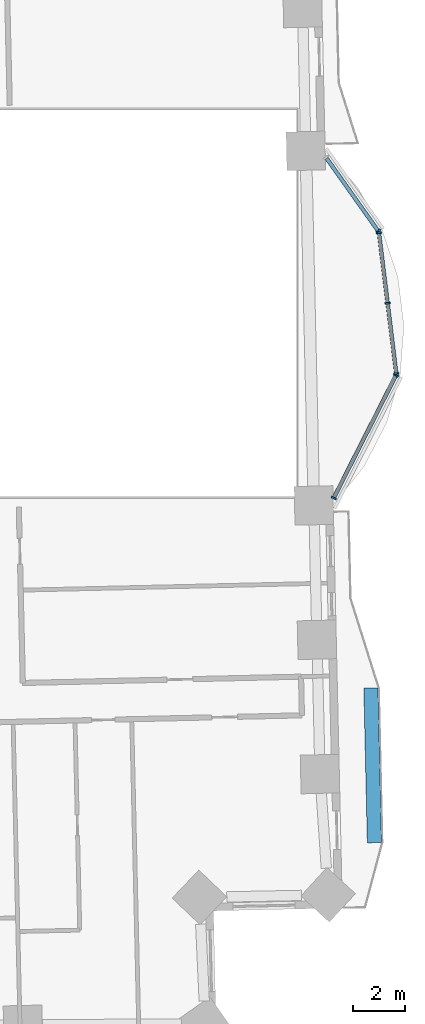
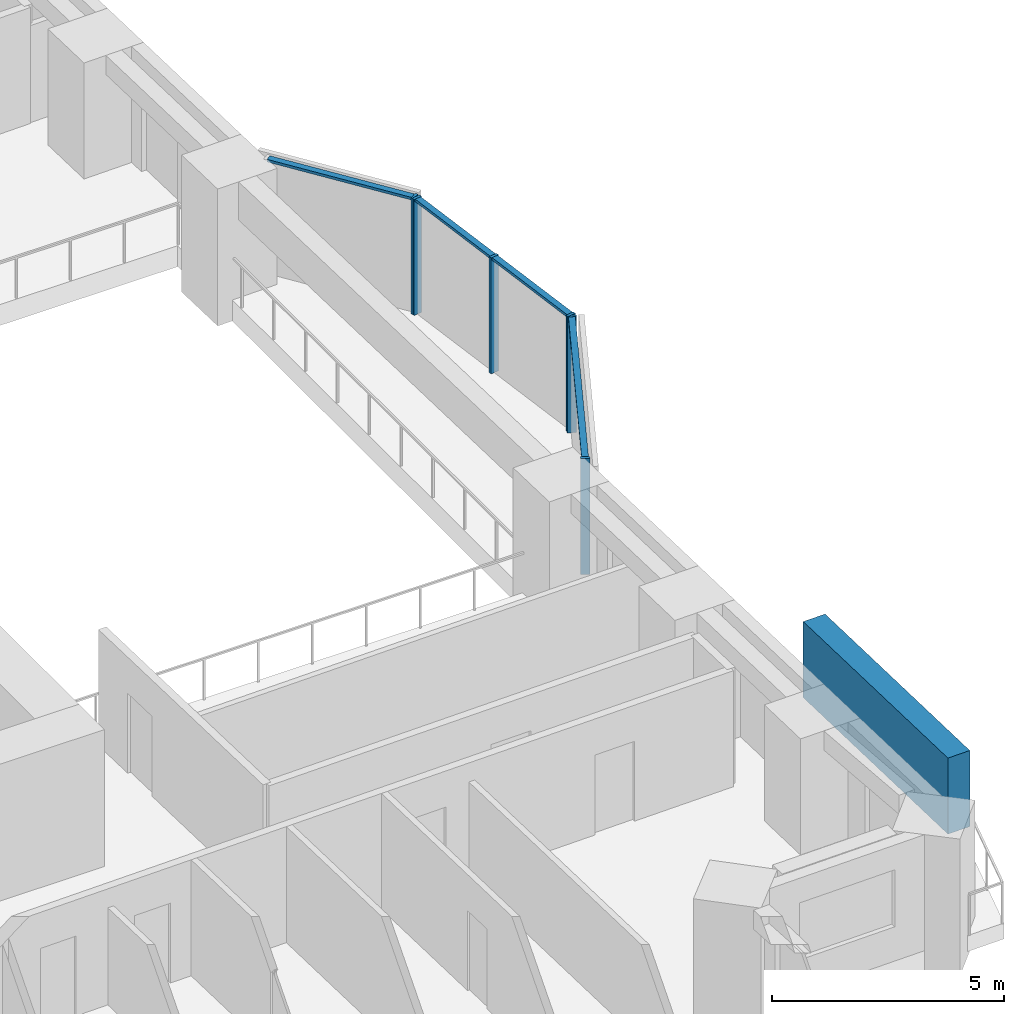
# One storey, part 3 of 16: 11 members, 3 elements without a shape of their own.
"""IFC4 building model written with IfcOpenShell, lengths in metres."""

from ifc_helpers import new_model, si_unit, direction, frame, origin, origin_2d, place, context, subcontext, project, spatial, rectangle, extrude, material, material_profile, profile_set, type_object, element, aggregate, save


model = new_model("IFC4")

# Units and contexts
model_context = context("Model", 3, precision=1e-05, world=origin(), true_north=direction((0.0, 1.0)))
body_context = subcontext(model_context, "Body", "Model", "MODEL_VIEW")
ifc_project = project(units=[si_unit("LENGTHUNIT", "METRE"), si_unit("AREAUNIT", "SQUARE_METRE"), si_unit("VOLUMEUNIT", "CUBIC_METRE"), si_unit("PLANEANGLEUNIT", "RADIAN"), si_unit("MASSUNIT", "GRAM", prefix="KILO")], contexts=[model_context])

# Site, building, storey
site_placement = place(None, origin())
site = spatial("IfcSite", under=ifc_project, at=site_placement, CompositionType="ELEMENT")
building_placement = place(site_placement, origin())
building = spatial("IfcBuilding", under=site, at=building_placement, Name="Mangrove Gate Tower", CompositionType="ELEMENT")
storey_placement = place(building_placement, frame((0.0, 0.0, 44.89990234375)))
storey = spatial("IfcBuildingStorey", under=building, at=storey_placement, Name="L10", CompositionType="ELEMENT", Elevation=44.89990234375)

# Curtain wall, members
ifc_material_1 = material(Name="Aluminium and glass curtain wall", Category="aluminium")
curtain_wall_type = type_object("IfcCurtainWallType", Name="Atrium garden-court glazing wall", PredefinedType="NOTDEFINED", material=ifc_material_1)
curtain_wall_1_placement = place(storey_placement, origin())
curtain_wall_1 = element("IfcCurtainWall", 1, at=curtain_wall_1_placement, inside=storey, type_object=curtain_wall_type, Name="Atrium garden-court glazing E1f1", PredefinedType="NOTDEFINED")
ifc_material_2 = material(Name="Aluminium alloy 6063-T6", Category="aluminium")
ifc_material_profile_1 = material_profile(ifc_material_2, rectangle(XDim=0.070068359375, YDim=0.199951171875, at=origin_2d()))
ifc_profile_set_1 = profile_set([ifc_material_profile_1], Name="Aluminium alloy 6063-T6")
member_type_1 = type_object("IfcMemberType", Name="Atrium garden-court glazing mullion 70x200", PredefinedType="MULLION", material=ifc_profile_set_1)
member_1_placement = place(storey_placement, frame((29.3681640625, -7.54833984375, 0.0), z_axis=(0.0, 0.0, 1.0), x_axis=(0.452600233136, 0.89171353526, 0.0)))
member_1 = element("IfcMember", 2, at=member_1_placement, type_object=member_type_1, Name="CWA mullion 1", PredefinedType="MULLION", context=body_context, shape_type="SweptSolid", body=[
    extrude(rectangle(XDim=0.070068359375, YDim=0.199951171875, at=origin_2d()), origin(), (0.0, 0.0, 1.0), 3.050048828125),
])
member_2_placement = place(storey_placement, frame((31.77978515625, -2.797119140625, 0.0), z_axis=(0.0, 0.0, 1.0), x_axis=(0.452600233136, 0.89171353526, 0.0)))
member_2 = element("IfcMember", 3, at=member_2_placement, type_object=member_type_1, Name="CWA mullion 2", PredefinedType="MULLION", context=body_context, shape_type="SweptSolid", body=[
    extrude(rectangle(XDim=0.070068359375, YDim=0.199951171875, at=origin_2d()), origin(), (0.0, 0.0, 1.0), 3.050048828125),
])

curtain_wall_2_placement = place(storey_placement, origin())
curtain_wall_2 = element("IfcCurtainWall", 4, at=curtain_wall_2_placement, inside=storey, type_object=curtain_wall_type, Name="Atrium garden-court glazing E1f2", PredefinedType="NOTDEFINED")
member_3_placement = place(storey_placement, frame((31.791259765625, -2.731201171875, 0.0), z_axis=(0.0, 0.0, 1.0), x_axis=(-0.122172285885, 0.992508908051, 0.0)))
member_3 = element("IfcMember", 5, at=member_3_placement, type_object=member_type_1, Name="CWA mullion 1", PredefinedType="MULLION", context=body_context, shape_type="SweptSolid", body=[
    extrude(rectangle(XDim=0.070068359375, YDim=0.199951171875, at=origin_2d()), origin(), (0.0, 0.0, 1.0), 3.050048828125),
])
member_4_placement = place(storey_placement, frame((31.455078125, -0.000244140625, 0.0), z_axis=(0.0, 0.0, 1.0), x_axis=(-0.122172285885, 0.992508908051, 0.0)))
member_4 = element("IfcMember", 6, at=member_4_placement, type_object=member_type_1, Name="CWA mullion 2", PredefinedType="MULLION", context=body_context, shape_type="SweptSolid", body=[
    extrude(rectangle(XDim=0.070068359375, YDim=0.199951171875, at=origin_2d()), origin(), (0.0, 0.0, 1.0), 3.050048828125),
])
member_5_placement = place(storey_placement, frame((31.118896484375, 2.73095703125, 0.0), z_axis=(0.0, 0.0, 1.0), x_axis=(-0.122172285885, 0.992508908051, 0.0)))
member_5 = element("IfcMember", 7, at=member_5_placement, type_object=member_type_1, Name="CWA mullion 3", PredefinedType="MULLION", context=body_context, shape_type="SweptSolid", body=[
    extrude(rectangle(XDim=0.070068359375, YDim=0.199951171875, at=origin_2d()), origin(), (0.0, 0.0, 1.0), 3.050048828125),
])

# Curtain wall, member
curtain_wall_3_placement = place(storey_placement, origin())
curtain_wall_3 = element("IfcCurtainWall", 8, at=curtain_wall_3_placement, inside=storey, type_object=curtain_wall_type, Name="Atrium garden-court glazing E1f3", PredefinedType="NOTDEFINED")
member_6_placement = place(storey_placement, frame((31.094482421875, 2.794189453125, 0.0), z_axis=(0.0, 0.0, 1.0), x_axis=(-0.578122631637, 0.815949889877, 0.0)))
member_6 = element("IfcMember", 9, at=member_6_placement, type_object=member_type_1, Name="CWA mullion 1", PredefinedType="MULLION", context=body_context, shape_type="SweptSolid", body=[
    extrude(rectangle(XDim=0.070068359375, YDim=0.199951171875, at=origin_2d()), origin(), (0.0, 0.0, 1.0), 3.050048828125),
])

# Member
ifc_material_3 = material(Name="Aluminium alloy 6063-T6", Category="aluminium")
ifc_material_profile_2 = material_profile(ifc_material_3, rectangle(XDim=0.070068359375, YDim=0.14990234375, at=origin_2d()))
ifc_profile_set_2 = profile_set([ifc_material_profile_2], Name="Aluminium alloy 6063-T6")
member_type_2 = type_object("IfcMemberType", Name="Atrium garden-court glazing transom 70x150", PredefinedType="USERDEFINED", material=ifc_profile_set_2)
member_7_placement = place(storey_placement, frame((29.384033203125, -7.51708984375, 3.01513671875), z_axis=(0.452610006929, 0.891708574383, 0.0), x_axis=(0.0, 0.0, 1.0)))
member_7 = element("IfcMember", 10, at=member_7_placement, type_object=member_type_2, Name="CWA transom 1.2", ObjectType="TRANSOM", PredefinedType="USERDEFINED", context=body_context, shape_type="SweptSolid", body=[
    extrude(rectangle(XDim=0.070068359375, YDim=0.14990234375, at=origin_2d()), origin(), (0.0, 0.0, 1.0), 5.258056640625),
])

aggregate(curtain_wall_1, [member_1, member_2, member_7])

member_8_placement = place(storey_placement, frame((31.787109375, -2.696533203125, 3.01513671875), z_axis=(-0.122174517154, 0.992508633392, 0.0), x_axis=(0.0, 0.0, 1.0)))
member_8 = element("IfcMember", 11, at=member_8_placement, type_object=member_type_2, Name="CWA transom 1.2", ObjectType="TRANSOM", PredefinedType="USERDEFINED", context=body_context, shape_type="SweptSolid", body=[
    extrude(rectangle(XDim=0.070068359375, YDim=0.14990234375, at=origin_2d()), origin(), (0.0, 0.0, 1.0), 2.681640625),
])

member_9_placement = place(storey_placement, frame((31.450927734375, 0.03466796875, 3.01513671875), z_axis=(-0.122174517154, 0.992508633392, 0.0), x_axis=(0.0, 0.0, 1.0)))
member_9 = element("IfcMember", 12, at=member_9_placement, type_object=member_type_2, Name="CWA transom 2.2", ObjectType="TRANSOM", PredefinedType="USERDEFINED", context=body_context, shape_type="SweptSolid", body=[
    extrude(rectangle(XDim=0.070068359375, YDim=0.14990234375, at=origin_2d()), origin(), (0.0, 0.0, 1.0), 2.681640625),
])

aggregate(curtain_wall_2, [member_3, member_4, member_5, member_8, member_9])

member_10_placement = place(storey_placement, frame((31.07421875, 2.82275390625, 3.01513671875), z_axis=(-0.578122045982, 0.815950304829, 0.0), x_axis=(0.0, 0.0, 1.0)))
member_10 = element("IfcMember", 13, at=member_10_placement, type_object=member_type_2, Name="CWA transom 1.2", ObjectType="TRANSOM", PredefinedType="USERDEFINED", context=body_context, shape_type="SweptSolid", body=[
    extrude(rectangle(XDim=0.070068359375, YDim=0.14990234375, at=origin_2d()), origin(), (0.0, 0.0, 1.0), 3.4287109375),
])

aggregate(curtain_wall_3, [member_6, member_10])

ifc_material_4 = material(Name="Planting on aluminium trellis", Category="aluminium")
ifc_material_profile_3 = material_profile(ifc_material_4, rectangle(XDim=0.550048828125, YDim=2.0, at=origin_2d()))
ifc_profile_set_3 = profile_set([ifc_material_profile_3], Name="Planting on aluminium trellis")
member_type_3 = type_object("IfcMemberType", Name="Balcony greenery screen 550x2000", PredefinedType="USERDEFINED", material=ifc_profile_set_3)
member_11_placement = place(storey_placement, frame((30.945068359375, -20.9169921875, 1.800048828125), z_axis=(-0.022665943652, 0.999743094499, 0.0), x_axis=(-0.999743094499, -0.022665943652, 0.0)))
element("IfcMember", 14, at=member_11_placement, inside=storey, type_object=member_type_3, Name="GREEN SCREEN L10 E0.1", ObjectType="PLANTING", PredefinedType="USERDEFINED", context=body_context, shape_type="SweptSolid", body=[
    extrude(rectangle(XDim=0.550048828125, YDim=2.0, at=origin_2d()), origin(), (0.0, 0.0, 1.0), 5.99951171875),
])

save(model, "model.ifc")
